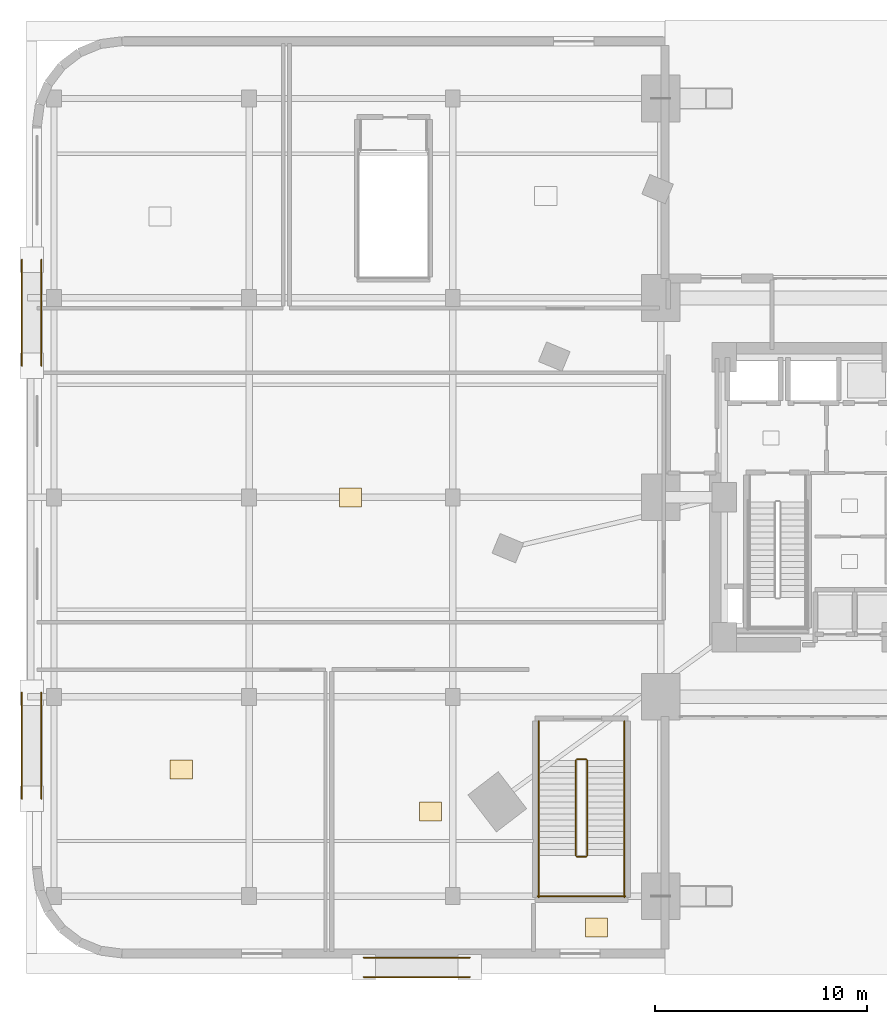
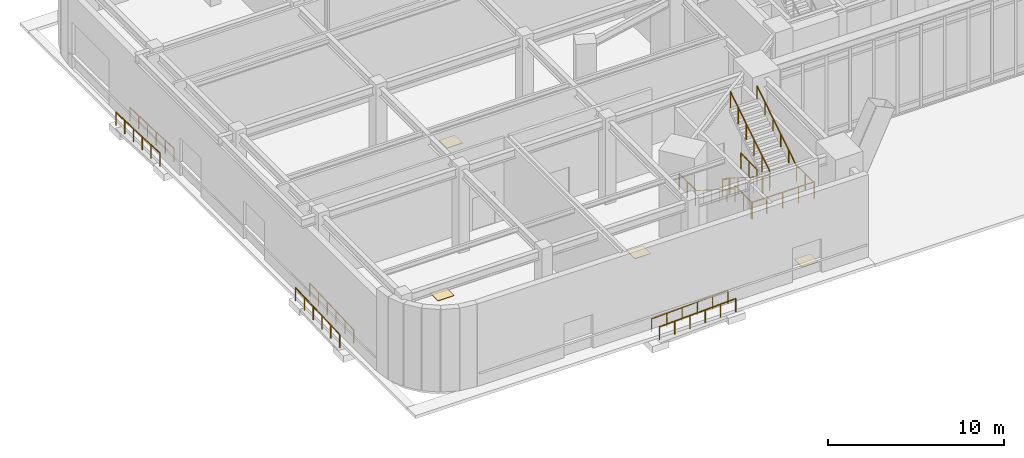
# One storey, part 23 of 27: 17 railings, 4 coverings.
"""IFC4 building model written with IfcOpenShell, lengths in metres."""

from ifc_helpers import new_model, si_unit, direction, frame, origin, origin_2d, place, context, subcontext, project, spatial, rectangle, circle, extrude, material, layer, layer_set, type_object, element, save


model = new_model("IFC4")

# Units and contexts
model_context = context("Model", 3, precision=1e-05, world=origin(), true_north=direction((0.0, 1.0)))
body_context = subcontext(model_context, "Body", "Model", "MODEL_VIEW")
ifc_project = project(units=[si_unit("LENGTHUNIT", "METRE"), si_unit("AREAUNIT", "SQUARE_METRE"), si_unit("VOLUMEUNIT", "CUBIC_METRE"), si_unit("PLANEANGLEUNIT", "RADIAN"), si_unit("MASSUNIT", "GRAM", prefix="KILO")], contexts=[model_context])

# Site, building, storey
site_placement = place(None, origin())
site = spatial("IfcSite", under=ifc_project, at=site_placement, CompositionType="ELEMENT")
building_placement = place(site_placement, origin())
building = spatial("IfcBuilding", under=site, at=building_placement, Name="Ndelora Gate Hotel", CompositionType="ELEMENT")
storey_placement = place(building_placement, origin())
storey = spatial("IfcBuildingStorey", under=building, at=storey_placement, Name="L00", CompositionType="ELEMENT", Elevation=0.0)

# Coverings
ifc_material_1 = material(Name="Engineered Highland Oak Parquet", Category="wood")
ifc_layer_1 = layer(ifc_material_1, 0.030029296875)
ifc_layer_set_1 = layer_set([ifc_layer_1], Name="Engineered Highland Oak Parquet")
covering_type = type_object("IfcCoveringType", Name="COV-FLR-PARQ", PredefinedType="FLOORING", material=ifc_layer_set_1)
for number, where, z_axis, x_axis, name in (
    (1, (-21.85009765625, -14.81005859375, 0.0), (0.0, 0.0, 1.0), (1.0, 0.0, 0.0), "L00 Fire Command Room Oak Parquet Flooring"),
    (2, (-25.625, 0.0, 0.0), (0.0, 0.0, 1.0), (1.0, 0.0, 0.0), "L00 Hotel Arrival Reception Hall Oak Parquet Flooring"),
    (3, (-33.60009765625, -12.82861328125, 0.0), (0.0, 0.0, 1.0), (1.0, 0.0, 0.0), "L00 Boutique Retail Shop Oak Parquet Flooring"),
    (4, (-14.02490234375, -20.27490234375, 0.0), (0.0, 0.0, 1.0), (1.0, 0.0, 0.0), "L00 South-West Stair ST3A Exit Passage Oak Parquet Flooring"),
):
    element("IfcCovering", number, at=place(storey_placement, frame(where, z_axis=z_axis, x_axis=x_axis)), inside=storey, type_object=covering_type, Name=name, PredefinedType="FLOORING", context=body_context, shape_type="SweptSolid", body=[
        extrude(rectangle(XDim=1.050048828125, YDim=0.89990234375, at=origin_2d()), origin(), (0.0, 0.0, 1.0), 0.030029296875),
    ])

# Railings
ifc_material_2 = material(Name="Painted Galvanized Steel Balustrade", Category="steel")
ifc_layer_2 = layer(ifc_material_2, 0.06005859375)
ifc_layer_set_2 = layer_set([ifc_layer_2], Name="Painted Galvanized Steel Balustrade")
railing_type_1 = type_object("IfcRailingType", Name="RL-STAIR-GD", PredefinedType="GUARDRAIL", material=ifc_layer_set_2)
railing_1_placement = place(storey_placement, frame((-15.0, -12.39990234375, 0.176513671875)))
element("IfcRailing", 5, at=railing_1_placement, inside=storey, type_object=railing_type_1, Name="L00 ST3A stair guard 1", PredefinedType="GUARDRAIL", context=body_context, shape_type="SweptSolid", body=[
    extrude(circle(Radius=0.02392578125, at=origin_2d()), frame((0.0, 0.0, 1.10595703125), z_axis=(0.0, -0.845997938375, 0.533186166611), x_axis=(1.0, 0.0, 0.0)), (0.0, 0.0, 1.0), 5.29541015625),
    extrude(circle(Radius=0.02099609375, at=origin_2d()), origin(), (0.0, 0.0, 1.0), 1.081787109375),
    extrude(circle(Radius=0.02099609375, at=origin_2d()), frame((0.0, -0.89599609375, 0.564697265625)), (0.0, 0.0, 1.0), 1.081787109375),
    extrude(circle(Radius=0.02099609375, at=origin_2d()), frame((0.0, -1.7919921875, 1.12939453125)), (0.0, 0.0, 1.0), 1.081787109375),
    extrude(circle(Radius=0.02099609375, at=origin_2d()), frame((0.0, -2.68798828125, 1.694091796875)), (0.0, 0.0, 1.0), 1.081787109375),
    extrude(circle(Radius=0.02099609375, at=origin_2d()), frame((0.0, -3.583984375, 2.2587890625)), (0.0, 0.0, 1.0), 1.081787109375),
    extrude(circle(Radius=0.02099609375, at=origin_2d()), frame((0.0, -4.47998046875, 2.823486328125)), (0.0, 0.0, 1.0), 1.081787109375),
])
railing_2_placement = place(storey_placement, frame((-14.949951171875, -16.929931640625, 3.0)))
element("IfcRailing", 6, at=railing_2_placement, inside=storey, type_object=railing_type_1, Name="L00 ST3A stair guard 2", PredefinedType="GUARDRAIL", context=body_context, shape_type="SweptSolid", body=[
    extrude(circle(Radius=0.02392578125, at=origin_2d()), frame((0.0, 0.0, 1.10595703125), z_axis=(1.0, 0.0, 0.0), x_axis=(0.0, 1.0, 0.0)), (0.0, 0.0, 1.0), 0.43994140625),
    extrude(circle(Radius=0.02099609375, at=origin_2d()), origin(), (0.0, 0.0, 1.0), 1.081787109375),
    extrude(circle(Radius=0.02099609375, at=origin_2d()), frame((0.43994140625, 0.0, 0.0)), (0.0, 0.0, 1.0), 1.081787109375),
])
for number, where, name in (
    (7, (-16.75, -16.8798828125, 3.0), "L00 ST3A stair guard 3"),
    (8, (-12.7099609375, -16.8798828125, 3.0), "L00 ST3A stair guard 4"),
):
    element("IfcRailing", number, at=place(storey_placement, frame(where)), inside=storey, type_object=railing_type_1, Name=name, PredefinedType="GUARDRAIL", context=body_context, shape_type="SweptSolid", body=[
        extrude(circle(Radius=0.02392578125, at=origin_2d()), frame((0.0, 0.0, 1.10595703125), z_axis=(0.0, -1.0, 0.0), x_axis=(1.0, 0.0, 0.0)), (0.0, 0.0, 1.0), 1.97021484375),
        extrude(circle(Radius=0.02099609375, at=origin_2d()), origin(), (0.0, 0.0, 1.0), 1.081787109375),
        extrude(circle(Radius=0.02099609375, at=origin_2d()), frame((0.0, -0.985107421875, 0.0)), (0.0, 0.0, 1.0), 1.081787109375),
        extrude(circle(Radius=0.02099609375, at=origin_2d()), frame((0.0, -1.97021484375, 0.0)), (0.0, 0.0, 1.0), 1.081787109375),
    ])
railing_3_placement = place(storey_placement, frame((-16.800048828125, -18.800048828125, 3.0)))
element("IfcRailing", 9, at=railing_3_placement, inside=storey, type_object=railing_type_1, Name="L00 ST3A stair guard 5", PredefinedType="GUARDRAIL", context=body_context, shape_type="SweptSolid", body=[
    extrude(circle(Radius=0.02392578125, at=origin_2d()), frame((0.0, 0.0, 1.10595703125), z_axis=(1.0, 0.0, 0.0), x_axis=(0.0, 1.0, 0.0)), (0.0, 0.0, 1.0), 4.14013671875),
    extrude(circle(Radius=0.02099609375, at=origin_2d()), origin(), (0.0, 0.0, 1.0), 1.081787109375),
    extrude(circle(Radius=0.02099609375, at=origin_2d()), frame((1.03515625, 0.0, 0.0)), (0.0, 0.0, 1.0), 1.081787109375),
    extrude(circle(Radius=0.02099609375, at=origin_2d()), frame((2.070068359375, 0.0, 0.0)), (0.0, 0.0, 1.0), 1.081787109375),
    extrude(circle(Radius=0.02099609375, at=origin_2d()), frame((3.10498046875, 0.0, 0.0)), (0.0, 0.0, 1.0), 1.081787109375),
    extrude(circle(Radius=0.02099609375, at=origin_2d()), frame((4.14013671875, 0.0, 0.0)), (0.0, 0.0, 1.0), 1.081787109375),
])
railing_4_placement = place(storey_placement, frame((-14.4599609375, -16.8798828125, 3.176513671875)))
element("IfcRailing", 10, at=railing_4_placement, inside=storey, type_object=railing_type_1, Name="L00 ST3A stair guard 6", PredefinedType="GUARDRAIL", context=body_context, shape_type="SweptSolid", body=[
    extrude(circle(Radius=0.02392578125, at=origin_2d()), frame((0.0, 0.0, 1.10595703125), z_axis=(0.0, 0.845997938375, 0.533186166611), x_axis=(-1.0, 0.0, 0.0)), (0.0, 0.0, 1.0), 5.29541015625),
    extrude(circle(Radius=0.02099609375, at=origin_2d()), origin(), (0.0, 0.0, 1.0), 1.081787109375),
    extrude(circle(Radius=0.02099609375, at=origin_2d()), frame((0.0, 0.89599609375, 0.564697265625)), (0.0, 0.0, 1.0), 1.081787109375),
    extrude(circle(Radius=0.02099609375, at=origin_2d()), frame((0.0, 1.7919921875, 1.12939453125)), (0.0, 0.0, 1.0), 1.081787109375),
    extrude(circle(Radius=0.02099609375, at=origin_2d()), frame((0.0, 2.68798828125, 1.694091796875)), (0.0, 0.0, 1.0), 1.081787109375),
    extrude(circle(Radius=0.02099609375, at=origin_2d()), frame((0.0, 3.583984375, 2.2587890625)), (0.0, 0.0, 1.0), 1.081787109375),
    extrude(circle(Radius=0.02099609375, at=origin_2d()), frame((0.0, 4.47998046875, 2.823486328125)), (0.0, 0.0, 1.0), 1.081787109375),
])
railing_5_placement = place(storey_placement, frame((-14.949951171875, -12.35009765625, 0.0)))
element("IfcRailing", 11, at=railing_5_placement, inside=storey, type_object=railing_type_1, Name="L00 ST3A stair guard 7", PredefinedType="GUARDRAIL", context=body_context, shape_type="SweptSolid", body=[
    extrude(circle(Radius=0.02392578125, at=origin_2d()), frame((0.0, 0.0, 1.10595703125), z_axis=(1.0, 0.0, 0.0), x_axis=(0.0, 1.0, 0.0)), (0.0, 0.0, 1.0), 0.43994140625),
    extrude(circle(Radius=0.02099609375, at=origin_2d()), origin(), (0.0, 0.0, 1.0), 1.081787109375),
    extrude(circle(Radius=0.02099609375, at=origin_2d()), frame((0.43994140625, 0.0, 0.0)), (0.0, 0.0, 1.0), 1.081787109375),
])
for number, where, name in (
    (12, (-16.75, -10.550048828125, 0.0), "L00 ST3A stair guard 8"),
    (13, (-12.7099609375, -10.550048828125, 0.0), "L00 ST3A stair guard 9"),
):
    element("IfcRailing", number, at=place(storey_placement, frame(where)), inside=storey, type_object=railing_type_1, Name=name, PredefinedType="GUARDRAIL", context=body_context, shape_type="SweptSolid", body=[
        extrude(circle(Radius=0.02392578125, at=origin_2d()), frame((0.0, 0.0, 1.10595703125), z_axis=(0.0, -1.0, 0.0), x_axis=(1.0, 0.0, 0.0)), (0.0, 0.0, 1.0), 1.849853515625),
        extrude(circle(Radius=0.02099609375, at=origin_2d()), origin(), (0.0, 0.0, 1.0), 1.081787109375),
        extrude(circle(Radius=0.02099609375, at=origin_2d()), frame((0.0, -0.9248046875, 0.0)), (0.0, 0.0, 1.0), 1.081787109375),
        extrude(circle(Radius=0.02099609375, at=origin_2d()), frame((0.0, -1.849853515625, 0.0)), (0.0, 0.0, 1.0), 1.081787109375),
    ])
ifc_material_3 = material(Name="Brushed Stainless Steel 316", Category="steel")
ifc_layer_3 = layer(ifc_material_3, 0.050048828125)
ifc_layer_set_3 = layer_set([ifc_layer_3], Name="Brushed Stainless Steel 316")
railing_type_2 = type_object("IfcRailingType", Name="RL-STAIR-HR", PredefinedType="HANDRAIL", material=ifc_layer_set_3)
railing_6_placement = place(storey_placement, frame((-16.75, -12.39990234375, 0.176513671875)))
element("IfcRailing", 14, at=railing_6_placement, inside=storey, type_object=railing_type_2, Name="L00 ST3A stair handrail 1", PredefinedType="HANDRAIL", context=body_context, shape_type="SweptSolid", body=[
    extrude(circle(Radius=0.02392578125, at=origin_2d()), frame((0.0, 0.0, 0.8759765625), z_axis=(0.0, -0.845997938375, 0.533186166611), x_axis=(1.0, 0.0, 0.0)), (0.0, 0.0, 1.0), 5.29541015625),
    extrude(circle(Radius=0.02099609375, at=origin_2d()), origin(), (0.0, 0.0, 1.0), 0.851806640625),
    extrude(circle(Radius=0.02099609375, at=origin_2d()), frame((0.0, -0.89599609375, 0.564697265625)), (0.0, 0.0, 1.0), 0.851806640625),
    extrude(circle(Radius=0.02099609375, at=origin_2d()), frame((0.0, -1.7919921875, 1.12939453125)), (0.0, 0.0, 1.0), 0.851806640625),
    extrude(circle(Radius=0.02099609375, at=origin_2d()), frame((0.0, -2.68798828125, 1.694091796875)), (0.0, 0.0, 1.0), 0.851806640625),
    extrude(circle(Radius=0.02099609375, at=origin_2d()), frame((0.0, -3.583984375, 2.2587890625)), (0.0, 0.0, 1.0), 0.851806640625),
    extrude(circle(Radius=0.02099609375, at=origin_2d()), frame((0.0, -4.47998046875, 2.823486328125)), (0.0, 0.0, 1.0), 0.851806640625),
])
railing_7_placement = place(storey_placement, frame((-12.7099609375, -16.8798828125, 3.176513671875)))
element("IfcRailing", 15, at=railing_7_placement, inside=storey, type_object=railing_type_2, Name="L00 ST3A stair handrail 2", PredefinedType="HANDRAIL", context=body_context, shape_type="SweptSolid", body=[
    extrude(circle(Radius=0.02392578125, at=origin_2d()), frame((0.0, 0.0, 0.8759765625), z_axis=(0.0, 0.845997938375, 0.533186166611), x_axis=(-1.0, 0.0, 0.0)), (0.0, 0.0, 1.0), 5.29541015625),
    extrude(circle(Radius=0.02099609375, at=origin_2d()), origin(), (0.0, 0.0, 1.0), 0.851806640625),
    extrude(circle(Radius=0.02099609375, at=origin_2d()), frame((0.0, 0.89599609375, 0.564697265625)), (0.0, 0.0, 1.0), 0.851806640625),
    extrude(circle(Radius=0.02099609375, at=origin_2d()), frame((0.0, 1.7919921875, 1.12939453125)), (0.0, 0.0, 1.0), 0.851806640625),
    extrude(circle(Radius=0.02099609375, at=origin_2d()), frame((0.0, 2.68798828125, 1.694091796875)), (0.0, 0.0, 1.0), 0.851806640625),
    extrude(circle(Radius=0.02099609375, at=origin_2d()), frame((0.0, 3.583984375, 2.2587890625)), (0.0, 0.0, 1.0), 0.851806640625),
    extrude(circle(Radius=0.02099609375, at=origin_2d()), frame((0.0, 4.47998046875, 2.823486328125)), (0.0, 0.0, 1.0), 0.851806640625),
])
for number, where, name in (
    (16, (-40.18994140625, -14.199951171875, -0.2099609375), "L00 Accessible Ramp R4 Handrail L"),
    (17, (-41.110107421875, -14.199951171875, -0.2099609375), "L00 Accessible Ramp R4 Handrail R"),
):
    element("IfcRailing", number, at=place(storey_placement, frame(where)), inside=storey, type_object=railing_type_2, Name=name, PredefinedType="HANDRAIL", context=body_context, shape_type="SweptSolid", body=[
        extrude(circle(Radius=0.02392578125, at=origin_2d()), frame((0.0, 0.0, 0.89599609375), z_axis=(0.0, 0.999119492402, 0.04195521306), x_axis=(-1.0, 0.0, 0.0)), (0.0, 0.0, 1.0), 5.00439453125),
        extrude(circle(Radius=0.02099609375, at=origin_2d()), origin(), (0.0, 0.0, 1.0), 0.871826171875),
        extrude(circle(Radius=0.02099609375, at=origin_2d()), frame((0.0, 1.0, 0.0419921875)), (0.0, 0.0, 1.0), 0.871826171875),
        extrude(circle(Radius=0.02099609375, at=origin_2d()), frame((0.0, 2.0, 0.083984375)), (0.0, 0.0, 1.0), 0.871826171875),
        extrude(circle(Radius=0.02099609375, at=origin_2d()), frame((0.0, 3.0, 0.1259765625)), (0.0, 0.0, 1.0), 0.871826171875),
        extrude(circle(Radius=0.02099609375, at=origin_2d()), frame((0.0, 4.0, 0.16796875)), (0.0, 0.0, 1.0), 0.871826171875),
        extrude(circle(Radius=0.02099609375, at=origin_2d()), frame((0.0, 5.0, 0.2099609375)), (0.0, 0.0, 1.0), 0.871826171875),
    ])
for number, where, name in (
    (18, (-41.110107421875, 11.199951171875, -0.2099609375), "L00 Accessible Ramp R6 Handrail L"),
    (19, (-40.18994140625, 11.199951171875, -0.2099609375), "L00 Accessible Ramp R6 Handrail R"),
):
    element("IfcRailing", number, at=place(storey_placement, frame(where)), inside=storey, type_object=railing_type_2, Name=name, PredefinedType="HANDRAIL", context=body_context, shape_type="SweptSolid", body=[
        extrude(circle(Radius=0.02392578125, at=origin_2d()), frame((0.0, 0.0, 0.89599609375), z_axis=(0.0, -0.999119492402, 0.04195521306), x_axis=(1.0, 0.0, 0.0)), (0.0, 0.0, 1.0), 5.00439453125),
        extrude(circle(Radius=0.02099609375, at=origin_2d()), origin(), (0.0, 0.0, 1.0), 0.871826171875),
        extrude(circle(Radius=0.02099609375, at=origin_2d()), frame((0.0, -1.0, 0.0419921875)), (0.0, 0.0, 1.0), 0.871826171875),
        extrude(circle(Radius=0.02099609375, at=origin_2d()), frame((0.0, -2.0, 0.083984375)), (0.0, 0.0, 1.0), 0.871826171875),
        extrude(circle(Radius=0.02099609375, at=origin_2d()), frame((0.0, -3.0, 0.1259765625)), (0.0, 0.0, 1.0), 0.871826171875),
        extrude(circle(Radius=0.02099609375, at=origin_2d()), frame((0.0, -4.0, 0.16796875)), (0.0, 0.0, 1.0), 0.871826171875),
        extrude(circle(Radius=0.02099609375, at=origin_2d()), frame((0.0, -5.0, 0.2099609375)), (0.0, 0.0, 1.0), 0.871826171875),
    ])
for number, where, name in (
    (20, (-25.0, -22.610107421875, -0.2099609375), "L00 Accessible Ramp R8 Handrail L"),
    (21, (-25.0, -21.68994140625, -0.2099609375), "L00 Accessible Ramp R8 Handrail R"),
):
    element("IfcRailing", number, at=place(storey_placement, frame(where)), inside=storey, type_object=railing_type_2, Name=name, PredefinedType="HANDRAIL", context=body_context, shape_type="SweptSolid", body=[
        extrude(circle(Radius=0.02392578125, at=origin_2d()), frame((0.0, 0.0, 0.89599609375), z_axis=(0.999119492402, 0.0, 0.04195521306), x_axis=(0.0, 1.0, 0.0)), (0.0, 0.0, 1.0), 5.00439453125),
        extrude(circle(Radius=0.02099609375, at=origin_2d()), origin(), (0.0, 0.0, 1.0), 0.871826171875),
        extrude(circle(Radius=0.02099609375, at=origin_2d()), frame((1.0, 0.0, 0.0419921875)), (0.0, 0.0, 1.0), 0.871826171875),
        extrude(circle(Radius=0.02099609375, at=origin_2d()), frame((2.0, 0.0, 0.083984375)), (0.0, 0.0, 1.0), 0.871826171875),
        extrude(circle(Radius=0.02099609375, at=origin_2d()), frame((3.0, 0.0, 0.1259765625)), (0.0, 0.0, 1.0), 0.871826171875),
        extrude(circle(Radius=0.02099609375, at=origin_2d()), frame((4.0, 0.0, 0.16796875)), (0.0, 0.0, 1.0), 0.871826171875),
        extrude(circle(Radius=0.02099609375, at=origin_2d()), frame((5.0, 0.0, 0.2099609375)), (0.0, 0.0, 1.0), 0.871826171875),
    ])

save(model, "model.ifc")
